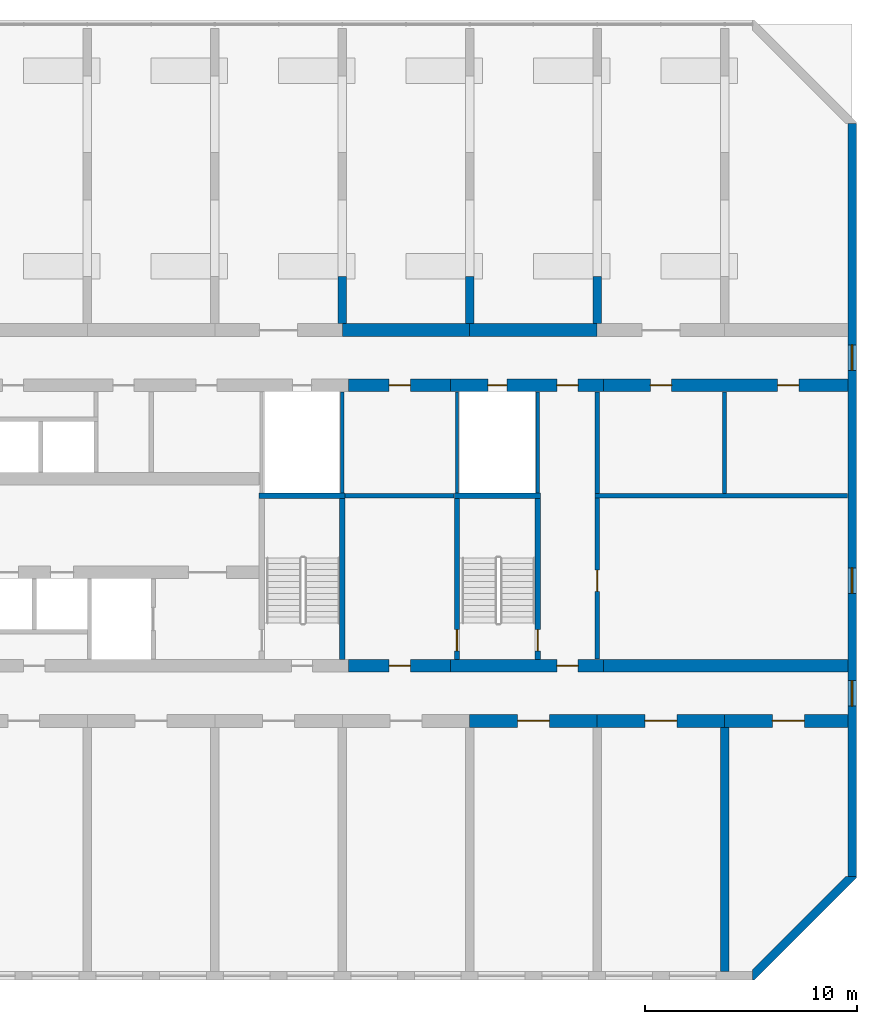
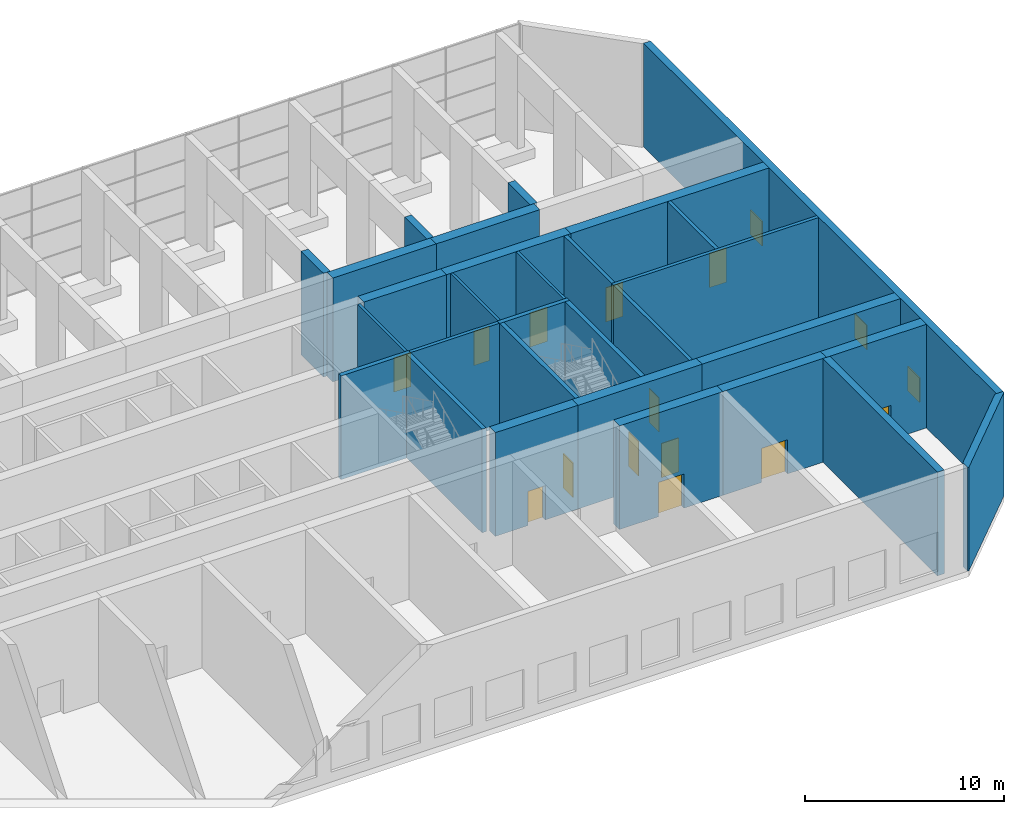
# One storey, part 12 of 15: 30 walls, 13 doors, 3 windows, 16 openings.
"""IFC4 building model written with IfcOpenShell, lengths in metres."""

from ifc_helpers import new_model, si_unit, direction, frame, frame_2d, origin, place, context, subcontext, project, spatial, polyline, rectangle, outline, extrude, material, layer, layer_set, type_object, element, fill, save


model = new_model("IFC4")

# Units and contexts
model_context = context("Model", 3, precision=1e-05, world=origin(), true_north=direction((0.0, 1.0)))
body_context = subcontext(model_context, "Body", "Model", "MODEL_VIEW")
ifc_project = project(units=[si_unit("LENGTHUNIT", "METRE"), si_unit("AREAUNIT", "SQUARE_METRE"), si_unit("VOLUMEUNIT", "CUBIC_METRE"), si_unit("PLANEANGLEUNIT", "RADIAN"), si_unit("MASSUNIT", "GRAM", prefix="KILO")], contexts=[model_context])

# Site, building, storey
site_placement = place(None, origin())
site = spatial("IfcSite", under=ifc_project, at=site_placement, CompositionType="ELEMENT")
building_placement = place(site_placement, origin())
building = spatial("IfcBuilding", under=site, at=building_placement, Name="Poui Terraces", CompositionType="ELEMENT")
storey_placement = place(building_placement, frame((0.0, 0.0, 66.300048828125)))
storey = spatial("IfcBuildingStorey", under=building, at=storey_placement, Name="L18", CompositionType="ELEMENT", Elevation=66.300048828125)

# Wall, opening, door
ifc_material_1 = material(Name="Concrete 80 MPa", Category="concrete")
ifc_layer_1 = layer(ifc_material_1, 0.60009765625)
ifc_layer_set_1 = layer_set([ifc_layer_1], Name="Concrete 80 MPa")
wall_type_1 = type_object("IfcWallType", Name="BELT WALL 600 80MPa", PredefinedType="SHEAR", material=ifc_layer_set_1)
wall_1_placement = place(storey_placement, frame((78.0, 12.0, 0.0), z_axis=(0.0, 0.0, 1.0), x_axis=(1.0, 0.0, 0.0)))
wall_1 = element("IfcWall", 1, at=wall_1_placement, inside=storey, type_object=wall_type_1, Name="BELT WALL LINE B BAY 13", PredefinedType="SHEAR", context=body_context, shape_type="SweptSolid", body=[
    extrude(rectangle(XDim=6.0, YDim=0.60009765625, at=frame_2d((3.0, 0.0))), origin(), (0.0, 0.0, 1.0), 6.35986328125),
])
opening_1_placement = place(wall_1_placement, frame((2.25, 0.0, 0.0)))
opening_1 = element("IfcOpeningElement", 2, at=opening_1_placement, cuts=wall_1, Name="Opening FDP", PredefinedType="OPENING", context=body_context, shape_type="SweptSolid", body=[
    extrude(rectangle(XDim=1.5, YDim=2.10009765625, at=frame_2d((0.75, 1.050048828125))), frame((0.0, 0.31005859375, 0.0), z_axis=(0.0, -1.0, 0.0), x_axis=(1.0, 0.0, 0.0)), (0.0, 0.0, 1.0), 0.6201171875),
])
ifc_material_2 = material(Name="Steel fire door", Category="steel")
door_type_1 = type_object("IfcDoorType", Name="PLANT ROOM DOOR PAIR 1500 X 2100", OperationType="DOUBLE_DOOR_SINGLE_SWING", PredefinedType="DOOR", material=ifc_material_2)
door_1_placement = place(opening_1_placement, origin())
door_1 = element("IfcDoor", 3, at=door_1_placement, inside=storey, type_object=door_type_1, Name="PLANT ROOM DOOR PAIR 047", OperationType="DOUBLE_DOOR_SINGLE_SWING", OverallHeight=2.10009765625, OverallWidth=1.5, PredefinedType="DOOR", context=body_context, shape_type="SweptSolid", body=[
    extrude(rectangle(XDim=1.5, YDim=2.10009765625, at=frame_2d((0.75, 1.050048828125))), frame((0.0, 0.02490234375, 0.0), z_axis=(0.0, -1.0, 0.0), x_axis=(1.0, 0.0, 0.0)), (0.0, 0.0, 1.0), 0.050048828125),
])
fill(opening_1, door_1)

wall_2_placement = place(storey_placement, frame((84.0, 12.0, 0.0), z_axis=(0.0, 0.0, 1.0), x_axis=(1.0, 0.0, 0.0)))
wall_2 = element("IfcWall", 4, at=wall_2_placement, inside=storey, type_object=wall_type_1, Name="BELT WALL LINE B BAY 14", PredefinedType="SHEAR", context=body_context, shape_type="SweptSolid", body=[
    extrude(rectangle(XDim=6.0, YDim=0.60009765625, at=frame_2d((3.0, 0.0))), origin(), (0.0, 0.0, 1.0), 6.35986328125),
])
opening_2_placement = place(wall_2_placement, frame((2.25, 0.0, 0.0)))
opening_2 = element("IfcOpeningElement", 5, at=opening_2_placement, cuts=wall_2, Name="Opening FDP", PredefinedType="OPENING", context=body_context, shape_type="SweptSolid", body=[
    extrude(rectangle(XDim=1.5, YDim=2.10009765625, at=frame_2d((0.75, 1.050048828125))), frame((0.0, 0.31005859375, 0.0), z_axis=(0.0, -1.0, 0.0), x_axis=(1.0, 0.0, 0.0)), (0.0, 0.0, 1.0), 0.6201171875),
])
door_2_placement = place(opening_2_placement, origin())
door_2 = element("IfcDoor", 6, at=door_2_placement, inside=storey, type_object=door_type_1, Name="PLANT ROOM DOOR PAIR 049", OperationType="DOUBLE_DOOR_SINGLE_SWING", OverallHeight=2.10009765625, OverallWidth=1.5, PredefinedType="DOOR", context=body_context, shape_type="SweptSolid", body=[
    extrude(rectangle(XDim=1.5, YDim=2.10009765625, at=frame_2d((0.75, 1.050048828125))), frame((0.0, 0.02490234375, 0.0), z_axis=(0.0, -1.0, 0.0), x_axis=(1.0, 0.0, 0.0)), (0.0, 0.0, 1.0), 0.050048828125),
])
fill(opening_2, door_2)

wall_3_placement = place(storey_placement, frame((90.0, 12.0, 0.0), z_axis=(0.0, 0.0, 1.0), x_axis=(1.0, 0.0, 0.0)))
wall_3 = element("IfcWall", 7, at=wall_3_placement, inside=storey, type_object=wall_type_1, Name="BELT WALL LINE B BAY 15", PredefinedType="SHEAR", context=body_context, shape_type="SweptSolid", body=[
    extrude(rectangle(XDim=5.800048828125, YDim=0.60009765625, at=frame_2d((2.89990234375, 0.0))), origin(), (0.0, 0.0, 1.0), 6.35986328125),
])
opening_3_placement = place(wall_3_placement, frame((2.25, 0.0, 0.0)))
opening_3 = element("IfcOpeningElement", 8, at=opening_3_placement, cuts=wall_3, Name="Opening FDP", PredefinedType="OPENING", context=body_context, shape_type="SweptSolid", body=[
    extrude(rectangle(XDim=1.5, YDim=2.10009765625, at=frame_2d((0.75, 1.050048828125))), frame((0.0, 0.31005859375, 0.0), z_axis=(0.0, -1.0, 0.0), x_axis=(1.0, 0.0, 0.0)), (0.0, 0.0, 1.0), 0.6201171875),
])
door_3_placement = place(opening_3_placement, origin())
door_3 = element("IfcDoor", 9, at=door_3_placement, inside=storey, type_object=door_type_1, Name="PLANT ROOM DOOR PAIR 050", OperationType="DOUBLE_DOOR_SINGLE_SWING", OverallHeight=2.10009765625, OverallWidth=1.5, PredefinedType="DOOR", context=body_context, shape_type="SweptSolid", body=[
    extrude(rectangle(XDim=1.5, YDim=2.10009765625, at=frame_2d((0.75, 1.050048828125))), frame((0.0, 0.02490234375, 0.0), z_axis=(0.0, -1.0, 0.0), x_axis=(1.0, 0.0, 0.0)), (0.0, 0.0, 1.0), 0.050048828125),
])
fill(opening_3, door_3)

# Walls
for number, where, z_axis, x_axis, name in (
    (10, (72.0, 30.39990234375, 0.0), (0.0, 0.0, 1.0), (1.0, 0.0, 0.0), "BELT WALL LINE E BAY 12"),
    (11, (78.0, 30.39990234375, 0.0), (0.0, 0.0, 1.0), (1.0, 0.0, 0.0), "BELT WALL LINE E BAY 13"),
):
    element("IfcWall", number, at=place(storey_placement, frame(where, z_axis=z_axis, x_axis=x_axis)), inside=storey, type_object=wall_type_1, Name=name, PredefinedType="SHEAR", context=body_context, shape_type="SweptSolid", body=[
        extrude(rectangle(XDim=6.0, YDim=0.60009765625, at=frame_2d((3.0, 0.0))), origin(), (0.0, 0.0, 1.0), 6.35986328125),
    ])
ifc_layer_2 = layer(ifc_material_1, 0.39990234375)
ifc_layer_set_2 = layer_set([ifc_layer_2], Name="Concrete 80 MPa")
wall_type_2 = type_object("IfcWallType", Name="CROSS WALL 400 80MPa", PredefinedType="SHEAR", material=ifc_layer_set_2)
wall_4_placement = place(storey_placement, frame((90.0, 0.199951171875, 0.0), z_axis=(0.0, 0.0, 1.0), x_axis=(0.0, 1.0, 0.0)))
element("IfcWall", 12, at=wall_4_placement, inside=storey, type_object=wall_type_2, Name="CROSS WALL LINE 16 SOUTH", PredefinedType="SHEAR", context=body_context, shape_type="SweptSolid", body=[
    extrude(rectangle(XDim=11.5, YDim=0.39990234375, at=frame_2d((5.75, 0.0))), origin(), (0.0, 0.0, 1.0), 6.35986328125),
])

# Wall, openings, windows
ifc_layer_3 = layer(ifc_material_1, 0.39990234375)
ifc_layer_set_3 = layer_set([ifc_layer_3], Name="Concrete 80 MPa")
wall_type_3 = type_object("IfcWallType", Name="END WALL 400 80MPa", PredefinedType="SHEAR", material=ifc_layer_set_3)
wall_5_placement = place(storey_placement, frame((96.0, 4.682861328125, 0.0), z_axis=(0.0, 0.0, 1.0), x_axis=(0.0, 1.0, 0.0)))
wall_5 = element("IfcWall", 13, at=wall_5_placement, inside=storey, type_object=wall_type_3, Name="END WALL EAST", PredefinedType="SHEAR", context=body_context, shape_type="SweptSolid", body=[
    extrude(rectangle(XDim=35.434326171875, YDim=0.39990234375, at=frame_2d((17.71728515625, 0.0))), origin(), (0.0, 0.0, 1.0), 6.35986328125),
])
opening_4_placement = place(wall_5_placement, frame((23.817138671875, 0.0, 0.89990234375)))
opening_4 = element("IfcOpeningElement", 14, at=opening_4_placement, cuts=wall_5, Name="Opening W2", PredefinedType="OPENING", context=body_context, shape_type="SweptSolid", body=[
    extrude(rectangle(XDim=1.199951171875, YDim=1.5, at=frame_2d((0.60009765625, 0.75))), frame((0.0, 0.2099609375, 0.0), z_axis=(0.0, -1.0, 0.0), x_axis=(1.0, 0.0, 0.0)), (0.0, 0.0, 1.0), 0.419921875),
])
opening_5_placement = place(wall_5_placement, frame((8.01708984375, 0.0, 0.89990234375)))
opening_5 = element("IfcOpeningElement", 15, at=opening_5_placement, cuts=wall_5, Name="Opening W2", PredefinedType="OPENING", context=body_context, shape_type="SweptSolid", body=[
    extrude(rectangle(XDim=1.199951171875, YDim=1.5, at=frame_2d((0.60009765625, 0.75))), frame((0.0, 0.2099609375, 0.0), z_axis=(0.0, -1.0, 0.0), x_axis=(1.0, 0.0, 0.0)), (0.0, 0.0, 1.0), 0.419921875),
])
opening_6_placement = place(wall_5_placement, frame((13.317138671875, 0.0, 0.89990234375)))
opening_6 = element("IfcOpeningElement", 16, at=opening_6_placement, cuts=wall_5, Name="Opening W2", PredefinedType="OPENING", context=body_context, shape_type="SweptSolid", body=[
    extrude(rectangle(XDim=1.199951171875, YDim=1.5, at=frame_2d((0.60009765625, 0.75))), frame((0.0, 0.2099609375, 0.0), z_axis=(0.0, -1.0, 0.0), x_axis=(1.0, 0.0, 0.0)), (0.0, 0.0, 1.0), 0.419921875),
])
ifc_material_3 = material(Name="Clear glass in aluminium frame", Category="aluminium")
window_type = type_object("IfcWindowType", Name="WINDOW 1200X1500", PartitioningType="SINGLE_PANEL", PredefinedType="WINDOW", material=ifc_material_3)
window_1_placement = place(opening_4_placement, origin())
window_1 = element("IfcWindow", 17, at=window_1_placement, inside=storey, type_object=window_type, Name="W2 WINDOW", OverallHeight=1.5, OverallWidth=1.199951171875, PartitioningType="SINGLE_PANEL", PredefinedType="WINDOW", context=body_context, shape_type="SweptSolid", body=[
    extrude(rectangle(XDim=1.199951171875, YDim=1.5, at=frame_2d((0.60009765625, 0.75))), frame((0.0, 0.030029296875, 0.0), z_axis=(0.0, -1.0, 0.0), x_axis=(1.0, 0.0, 0.0)), (0.0, 0.0, 1.0), 0.06005859375),
])
fill(opening_4, window_1)
window_2_placement = place(opening_5_placement, origin())
window_2 = element("IfcWindow", 18, at=window_2_placement, inside=storey, type_object=window_type, Name="W2 WINDOW", OverallHeight=1.5, OverallWidth=1.199951171875, PartitioningType="SINGLE_PANEL", PredefinedType="WINDOW", context=body_context, shape_type="SweptSolid", body=[
    extrude(rectangle(XDim=1.199951171875, YDim=1.5, at=frame_2d((0.60009765625, 0.75))), frame((0.0, 0.030029296875, 0.0), z_axis=(0.0, -1.0, 0.0), x_axis=(1.0, 0.0, 0.0)), (0.0, 0.0, 1.0), 0.06005859375),
])
fill(opening_5, window_2)
window_3_placement = place(opening_6_placement, origin())
window_3 = element("IfcWindow", 19, at=window_3_placement, inside=storey, type_object=window_type, Name="W2 WINDOW", OverallHeight=1.5, OverallWidth=1.199951171875, PartitioningType="SINGLE_PANEL", PredefinedType="WINDOW", context=body_context, shape_type="SweptSolid", body=[
    extrude(rectangle(XDim=1.199951171875, YDim=1.5, at=frame_2d((0.60009765625, 0.75))), frame((0.0, 0.030029296875, 0.0), z_axis=(0.0, -1.0, 0.0), x_axis=(1.0, 0.0, 0.0)), (0.0, 0.0, 1.0), 0.06005859375),
])
fill(opening_6, window_3)

# Wall, opening, door
ifc_layer_4 = layer(ifc_material_1, 0.60009765625)
ifc_layer_set_4 = layer_set([ifc_layer_4], Name="Concrete 80 MPa")
wall_type_4 = type_object("IfcWallType", Name="OUTRIGGER WALL 600 80MPa", PredefinedType="SHEAR", material=ifc_layer_set_4)
wall_6_placement = place(storey_placement, frame((72.300048828125, 14.60009765625, 0.0), z_axis=(0.0, 0.0, 1.0), x_axis=(1.0, 0.0, 0.0)))
wall_6 = element("IfcWall", 20, at=wall_6_placement, inside=storey, type_object=wall_type_4, Name="OUTRIGGER WALL LINE C E2", PredefinedType="SHEAR", context=body_context, shape_type="SweptSolid", body=[
    extrude(rectangle(XDim=4.800048828125, YDim=0.60009765625, at=frame_2d((2.39990234375, 0.0))), origin(), (0.0, 0.0, 1.0), 6.35986328125),
])
opening_7_placement = place(wall_6_placement, frame((1.89990234375, 0.0, 0.0)))
opening_7 = element("IfcOpeningElement", 21, at=opening_7_placement, cuts=wall_6, Name="Opening FDRF", PredefinedType="OPENING", context=body_context, shape_type="SweptSolid", body=[
    extrude(rectangle(XDim=1.0, YDim=2.10009765625, at=frame_2d((0.5, 1.050048828125))), frame((0.0, 0.31005859375, 0.0), z_axis=(0.0, -1.0, 0.0), x_axis=(1.0, 0.0, 0.0)), (0.0, 0.0, 1.0), 0.6201171875),
])
door_type_2 = type_object("IfcDoorType", Name="REFUGE AREA DOOR 1000 X 2100", OperationType="NOTDEFINED", PredefinedType="DOOR", material=ifc_material_2)
door_4_placement = place(opening_7_placement, frame((1.0, 0.0, 0.0), z_axis=(0.0, 0.0, 1.0), x_axis=(-1.0, 0.0, 0.0)))
door_4 = element("IfcDoor", 22, at=door_4_placement, inside=storey, type_object=door_type_2, Name="REFUGE AREA DOOR 045", OperationType="SINGLE_SWING_LEFT", OverallHeight=2.10009765625, OverallWidth=1.0, PredefinedType="DOOR", context=body_context, shape_type="SweptSolid", body=[
    extrude(rectangle(XDim=1.0, YDim=2.10009765625, at=frame_2d((0.5, 1.050048828125))), frame((0.0, 0.02490234375, 0.0), z_axis=(0.0, -1.0, 0.0), x_axis=(1.0, 0.0, 0.0)), (0.0, 0.0, 1.0), 0.050048828125),
])
fill(opening_7, door_4)

# Wall
wall_7_placement = place(storey_placement, frame((84.300048828125, 14.60009765625, 0.0), z_axis=(0.0, 0.0, 1.0), x_axis=(1.0, 0.0, 0.0)))
element("IfcWall", 23, at=wall_7_placement, inside=storey, type_object=wall_type_4, Name="OUTRIGGER WALL LINE C E1", PredefinedType="SHEAR", context=body_context, shape_type="SweptSolid", body=[
    extrude(rectangle(XDim=11.5, YDim=0.60009765625, at=frame_2d((5.75, 0.0))), origin(), (0.0, 0.0, 1.0), 6.35986328125),
])

# Wall, opening, door
wall_8_placement = place(storey_placement, frame((72.300048828125, 27.800048828125, 0.0), z_axis=(0.0, 0.0, 1.0), x_axis=(1.0, 0.0, 0.0)))
wall_8 = element("IfcWall", 24, at=wall_8_placement, inside=storey, type_object=wall_type_4, Name="OUTRIGGER WALL LINE D E2", PredefinedType="SHEAR", context=body_context, shape_type="SweptSolid", body=[
    extrude(rectangle(XDim=4.800048828125, YDim=0.60009765625, at=frame_2d((2.39990234375, 0.0))), origin(), (0.0, 0.0, 1.0), 6.35986328125),
])
opening_8_placement = place(wall_8_placement, frame((1.89990234375, 0.0, 0.0)))
opening_8 = element("IfcOpeningElement", 25, at=opening_8_placement, cuts=wall_8, Name="Opening FD60", PredefinedType="OPENING", context=body_context, shape_type="SweptSolid", body=[
    extrude(rectangle(XDim=1.0, YDim=2.10009765625, at=frame_2d((0.5, 1.050048828125))), frame((0.0, 0.31005859375, 0.0), z_axis=(0.0, -1.0, 0.0), x_axis=(1.0, 0.0, 0.0)), (0.0, 0.0, 1.0), 0.6201171875),
])
door_type_3 = type_object("IfcDoorType", Name="SERVICE ROOM FIRE DOOR 1000 X 2100", OperationType="NOTDEFINED", PredefinedType="DOOR", material=ifc_material_2)
door_5_placement = place(opening_8_placement, origin())
door_5 = element("IfcDoor", 26, at=door_5_placement, inside=storey, type_object=door_type_3, Name="SERVICE ROOM FIRE DOOR 019", OperationType="SINGLE_SWING_RIGHT", OverallHeight=2.10009765625, OverallWidth=1.0, PredefinedType="DOOR", context=body_context, shape_type="SweptSolid", body=[
    extrude(rectangle(XDim=1.0, YDim=2.10009765625, at=frame_2d((0.5, 1.050048828125))), frame((0.0, 0.02490234375, 0.0), z_axis=(0.0, -1.0, 0.0), x_axis=(1.0, 0.0, 0.0)), (0.0, 0.0, 1.0), 0.050048828125),
])
fill(opening_8, door_5)

# Wall, openings, doors
wall_9_placement = place(storey_placement, frame((84.300048828125, 27.800048828125, 0.0), z_axis=(0.0, 0.0, 1.0), x_axis=(1.0, 0.0, 0.0)))
wall_9 = element("IfcWall", 27, at=wall_9_placement, inside=storey, type_object=wall_type_4, Name="OUTRIGGER WALL LINE D E1", PredefinedType="SHEAR", context=body_context, shape_type="SweptSolid", body=[
    extrude(rectangle(XDim=11.5, YDim=0.60009765625, at=frame_2d((5.75, 0.0))), origin(), (0.0, 0.0, 1.0), 6.35986328125),
])
opening_9_placement = place(wall_9_placement, frame((2.199951171875, 0.0, 0.0)))
opening_9 = element("IfcOpeningElement", 28, at=opening_9_placement, cuts=wall_9, Name="Opening FD60", PredefinedType="OPENING", context=body_context, shape_type="SweptSolid", body=[
    extrude(rectangle(XDim=1.0, YDim=2.10009765625, at=frame_2d((0.5, 1.050048828125))), frame((0.0, 0.31005859375, 0.0), z_axis=(0.0, -1.0, 0.0), x_axis=(1.0, 0.0, 0.0)), (0.0, 0.0, 1.0), 0.6201171875),
])
opening_10_placement = place(wall_9_placement, frame((8.199951171875, 0.0, 0.0)))
opening_10 = element("IfcOpeningElement", 29, at=opening_10_placement, cuts=wall_9, Name="Opening FD60", PredefinedType="OPENING", context=body_context, shape_type="SweptSolid", body=[
    extrude(rectangle(XDim=1.0, YDim=2.10009765625, at=frame_2d((0.5, 1.050048828125))), frame((0.0, 0.31005859375, 0.0), z_axis=(0.0, -1.0, 0.0), x_axis=(1.0, 0.0, 0.0)), (0.0, 0.0, 1.0), 0.6201171875),
])
door_6_placement = place(opening_9_placement, origin())
door_6 = element("IfcDoor", 30, at=door_6_placement, inside=storey, type_object=door_type_3, Name="SERVICE ROOM FIRE DOOR 022", OperationType="SINGLE_SWING_LEFT", OverallHeight=2.10009765625, OverallWidth=1.0, PredefinedType="DOOR", context=body_context, shape_type="SweptSolid", body=[
    extrude(rectangle(XDim=1.0, YDim=2.10009765625, at=frame_2d((0.5, 1.050048828125))), frame((0.0, 0.02490234375, 0.0), z_axis=(0.0, -1.0, 0.0), x_axis=(1.0, 0.0, 0.0)), (0.0, 0.0, 1.0), 0.050048828125),
])
fill(opening_9, door_6)
door_7_placement = place(opening_10_placement, origin())
door_7 = element("IfcDoor", 31, at=door_7_placement, inside=storey, type_object=door_type_3, Name="SERVICE ROOM FIRE DOOR 024", OperationType="SINGLE_SWING_RIGHT", OverallHeight=2.10009765625, OverallWidth=1.0, PredefinedType="DOOR", context=body_context, shape_type="SweptSolid", body=[
    extrude(rectangle(XDim=1.0, YDim=2.10009765625, at=frame_2d((0.5, 1.050048828125))), frame((0.0, 0.02490234375, 0.0), z_axis=(0.0, -1.0, 0.0), x_axis=(1.0, 0.0, 0.0)), (0.0, 0.0, 1.0), 0.050048828125),
])
fill(opening_10, door_7)

# Walls
ifc_layer_5 = layer(ifc_material_1, 0.39990234375)
ifc_layer_set_5 = layer_set([ifc_layer_5], Name="Concrete 80 MPa")
wall_type_5 = type_object("IfcWallType", Name="PIERCED CROSS WALL 400 80MPa", PredefinedType="SHEAR", material=ifc_layer_set_5)
for number, where, z_axis, x_axis, name in (
    (32, (72.0, 30.699951171875, 0.0), (0.0, 0.0, 1.0), (0.0, 1.0, 0.0), "PIER LINE 13 1"),
    (33, (78.0, 30.699951171875, 0.0), (0.0, 0.0, 1.0), (0.0, 1.0, 0.0), "PIER LINE 14 1"),
    (34, (84.0, 30.699951171875, 0.0), (0.0, 0.0, 1.0), (0.0, 1.0, 0.0), "PIER LINE 15 1"),
):
    element("IfcWall", number, at=place(storey_placement, frame(where, z_axis=z_axis, x_axis=x_axis)), inside=storey, type_object=wall_type_5, Name=name, PredefinedType="SHEAR", context=body_context, shape_type="SweptSolid", body=[
        extrude(rectangle(XDim=2.2333984375, YDim=0.39990234375, at=frame_2d((1.11669921875, 0.0))), origin(), (0.0, 0.0, 1.0), 6.35986328125),
    ])
ifc_material_4 = material(Name="Fire-rated masonry wall", Category="masonry")
ifc_layer_6 = layer(ifc_material_4, 0.199951171875)
ifc_layer_set_6 = layer_set([ifc_layer_6], Name="Fire-rated masonry wall")
wall_type_6 = type_object("IfcWallType", Name="PLANT ROOM WALL 200", PredefinedType="PARTITIONING", material=ifc_layer_set_6)
for number, where, z_axis, x_axis, name in (
    (35, (84.0, 22.699951171875, 0.0), (0.0, 0.0, 1.0), (0.0, 1.0, 0.0), "PLANT ROOM WALL 200"),
    (36, (90.0, 22.699951171875, 0.0), (0.0, 0.0, 1.0), (0.0, 1.0, 0.0), "PLANT ROOM WALL 200"),
):
    element("IfcWall", number, at=place(storey_placement, frame(where, z_axis=z_axis, x_axis=x_axis)), inside=storey, type_object=wall_type_6, Name=name, PredefinedType="PARTITIONING", context=body_context, shape_type="SweptSolid", body=[
        extrude(rectangle(XDim=4.7900390625, YDim=0.199951171875, at=frame_2d((2.39501953125, 0.0))), origin(), (0.0, 0.0, 1.0), 6.35986328125),
    ])
ifc_layer_7 = layer(ifc_material_4, 0.199951171875)
ifc_layer_set_7 = layer_set([ifc_layer_7], Name="Fire-rated masonry wall")
wall_type_7 = type_object("IfcWallType", Name="REFUGE AREA WALL 200", PredefinedType="PARTITIONING", material=ifc_layer_set_7)
wall_10_placement = place(storey_placement, frame((72.135009765625, 22.60009765625, 0.0), z_axis=(0.0, 0.0, 1.0), x_axis=(1.0, 0.0, 0.0)))
element("IfcWall", 37, at=wall_10_placement, inside=storey, type_object=wall_type_7, Name="REFUGE AREA WALL 200", PredefinedType="PARTITIONING", context=body_context, shape_type="SweptSolid", body=[
    extrude(rectangle(XDim=5.1298828125, YDim=0.199951171875, at=frame_2d((2.56494140625, 0.0))), origin(), (0.0, 0.0, 1.0), 6.35986328125),
])
wall_11_placement = place(storey_placement, frame((83.89990234375, 22.60009765625, 0.0), z_axis=(0.0, 0.0, 1.0), x_axis=(1.0, 0.0, 0.0)))
element("IfcWall", 38, at=wall_11_placement, inside=storey, type_object=wall_type_7, Name="REFUGE AREA WALL 200", PredefinedType="PARTITIONING", context=body_context, shape_type="SweptSolid", body=[
    extrude(rectangle(XDim=11.89013671875, YDim=0.199951171875, at=frame_2d((5.945068359375, 0.0))), origin(), (0.0, 0.0, 1.0), 6.35986328125),
])

# Wall, opening, door
wall_12_placement = place(storey_placement, frame((84.0, 14.909912109375, 0.0), z_axis=(0.0, 0.0, 1.0), x_axis=(0.0, 1.0, 0.0)))
wall_12 = element("IfcWall", 39, at=wall_12_placement, inside=storey, type_object=wall_type_7, Name="REFUGE AREA WALL 200", PredefinedType="PARTITIONING", context=body_context, shape_type="SweptSolid", body=[
    extrude(rectangle(XDim=7.590087890625, YDim=0.199951171875, at=frame_2d((3.794921875, 0.0))), origin(), (0.0, 0.0, 1.0), 6.35986328125),
])
opening_11_placement = place(wall_12_placement, frame((3.18994140625, 0.0, 0.0)))
opening_11 = element("IfcOpeningElement", 40, at=opening_11_placement, cuts=wall_12, Name="Opening FDRF", PredefinedType="OPENING", context=body_context, shape_type="SweptSolid", body=[
    extrude(rectangle(XDim=1.0, YDim=2.10009765625, at=frame_2d((0.5, 1.050048828125))), frame((0.0, 0.10986328125, 0.0), z_axis=(0.0, -1.0, 0.0), x_axis=(1.0, 0.0, 0.0)), (0.0, 0.0, 1.0), 0.219970703125),
])
door_8_placement = place(opening_11_placement, origin())
door_8 = element("IfcDoor", 41, at=door_8_placement, inside=storey, type_object=door_type_2, Name="REFUGE AREA DOOR 069", OperationType="SINGLE_SWING_RIGHT", OverallHeight=2.10009765625, OverallWidth=1.0, PredefinedType="DOOR", context=body_context, shape_type="SweptSolid", body=[
    extrude(rectangle(XDim=1.0, YDim=2.10009765625, at=frame_2d((0.5, 1.050048828125))), frame((0.0, 0.02490234375, 0.0), z_axis=(0.0, -1.0, 0.0), x_axis=(1.0, 0.0, 0.0)), (0.0, 0.0, 1.0), 0.050048828125),
])
fill(opening_11, door_8)

# Walls
ifc_material_5 = material(Name="Fire-rated plasterboard riser wall")
ifc_layer_8 = layer(ifc_material_5, 0.14990234375)
ifc_layer_set_8 = layer_set([ifc_layer_8], Name="Fire-rated plasterboard riser wall")
wall_type_8 = type_object("IfcWallType", Name="RISER WALL 150", PredefinedType="PARTITIONING", material=ifc_layer_set_8)
for number, where, z_axis, x_axis, name in (
    (42, (72.0, 22.735107421875, 0.0), (0.0, 0.0, 1.0), (0.0, 1.0, 0.0), "RISER WALL 150"),
    (43, (77.39990234375, 22.735107421875, 0.0), (0.0, 0.0, 1.0), (0.0, 1.0, 0.0), "RISER WALL 150"),
    (44, (81.199951171875, 22.735107421875, 0.0), (0.0, 0.0, 1.0), (0.0, 1.0, 0.0), "RISER WALL 150"),
):
    element("IfcWall", number, at=place(storey_placement, frame(where, z_axis=z_axis, x_axis=x_axis)), inside=storey, type_object=wall_type_8, Name=name, PredefinedType="PARTITIONING", context=body_context, shape_type="SweptSolid", body=[
        extrude(rectangle(XDim=4.7548828125, YDim=0.14990234375, at=frame_2d((2.37744140625, 0.0))), origin(), (0.0, 0.0, 1.0), 6.35986328125),
    ])

# Wall, opening, door
ifc_layer_9 = layer(ifc_material_1, 0.60009765625)
ifc_layer_set_9 = layer_set([ifc_layer_9], Name="Concrete 80 MPa")
wall_type_9 = type_object("IfcWallType", Name="SPINE WALL 600 80 MPA", PredefinedType="SOLIDWALL", material=ifc_layer_set_9)
wall_13_placement = place(storey_placement, frame((77.10009765625, 14.60009765625, 0.0), z_axis=(0.0, 0.0, 1.0), x_axis=(1.0, 0.0, 0.0)))
wall_13 = element("IfcWall", 45, at=wall_13_placement, inside=storey, type_object=wall_type_9, Name="SPINE WALL", PredefinedType="SOLIDWALL", context=body_context, shape_type="SweptSolid", body=[
    extrude(rectangle(XDim=7.199951171875, YDim=0.60009765625, at=frame_2d((3.60009765625, 0.0))), origin(), (0.0, 0.0, 1.0), 6.35986328125),
])
opening_12_placement = place(wall_13_placement, frame((5.0, 0.0, 0.0)))
opening_12 = element("IfcOpeningElement", 46, at=opening_12_placement, cuts=wall_13, Name="Opening FDL", PredefinedType="OPENING", context=body_context, shape_type="SweptSolid", body=[
    extrude(rectangle(XDim=1.0, YDim=2.10009765625, at=frame_2d((0.5, 1.050048828125))), frame((0.0, 0.31005859375, 0.0), z_axis=(0.0, -1.0, 0.0), x_axis=(1.0, 0.0, 0.0)), (0.0, 0.0, 1.0), 0.6201171875),
])
door_type_4 = type_object("IfcDoorType", Name="LOBBY FIRE DOOR 1000 X 2100", OperationType="NOTDEFINED", PredefinedType="DOOR", material=ifc_material_2)
door_9_placement = place(opening_12_placement, frame((1.0, 0.0, 0.0), z_axis=(0.0, 0.0, 1.0), x_axis=(-1.0, 0.0, 0.0)))
door_9 = element("IfcDoor", 47, at=door_9_placement, inside=storey, type_object=door_type_4, Name="LOBBY FIRE DOOR 048", OperationType="SINGLE_SWING_LEFT", OverallHeight=2.10009765625, OverallWidth=1.0, PredefinedType="DOOR", context=body_context, shape_type="SweptSolid", body=[
    extrude(rectangle(XDim=1.0, YDim=2.10009765625, at=frame_2d((0.5, 1.050048828125))), frame((0.0, 0.02490234375, 0.0), z_axis=(0.0, -1.0, 0.0), x_axis=(1.0, 0.0, 0.0)), (0.0, 0.0, 1.0), 0.050048828125),
])
fill(opening_12, door_9)

# Wall, openings, doors
wall_14_placement = place(storey_placement, frame((77.10009765625, 27.800048828125, 0.0), z_axis=(0.0, 0.0, 1.0), x_axis=(1.0, 0.0, 0.0)))
wall_14 = element("IfcWall", 48, at=wall_14_placement, inside=storey, type_object=wall_type_9, Name="SPINE WALL", PredefinedType="SOLIDWALL", context=body_context, shape_type="SweptSolid", body=[
    extrude(rectangle(XDim=7.199951171875, YDim=0.60009765625, at=frame_2d((3.60009765625, 0.0))), origin(), (0.0, 0.0, 1.0), 6.35986328125),
])
opening_13_placement = place(wall_14_placement, frame((1.75, 0.0, 0.0)))
opening_13 = element("IfcOpeningElement", 49, at=opening_13_placement, cuts=wall_14, Name="Opening FDR", PredefinedType="OPENING", context=body_context, shape_type="SweptSolid", body=[
    extrude(rectangle(XDim=0.89990234375, YDim=2.10009765625, at=frame_2d((0.449951171875, 1.050048828125))), frame((0.0, 0.31005859375, 0.0), z_axis=(0.0, -1.0, 0.0), x_axis=(1.0, 0.0, 0.0)), (0.0, 0.0, 1.0), 0.6201171875),
])
opening_14_placement = place(wall_14_placement, frame((5.0, 0.0, 0.0)))
opening_14 = element("IfcOpeningElement", 50, at=opening_14_placement, cuts=wall_14, Name="Opening FDL", PredefinedType="OPENING", context=body_context, shape_type="SweptSolid", body=[
    extrude(rectangle(XDim=1.0, YDim=2.10009765625, at=frame_2d((0.5, 1.050048828125))), frame((0.0, 0.31005859375, 0.0), z_axis=(0.0, -1.0, 0.0), x_axis=(1.0, 0.0, 0.0)), (0.0, 0.0, 1.0), 0.6201171875),
])
door_10_placement = place(opening_14_placement, origin())
door_10 = element("IfcDoor", 51, at=door_10_placement, inside=storey, type_object=door_type_4, Name="LOBBY FIRE DOOR 021", OperationType="SINGLE_SWING_RIGHT", OverallHeight=2.10009765625, OverallWidth=1.0, PredefinedType="DOOR", context=body_context, shape_type="SweptSolid", body=[
    extrude(rectangle(XDim=1.0, YDim=2.10009765625, at=frame_2d((0.5, 1.050048828125))), frame((0.0, 0.02490234375, 0.0), z_axis=(0.0, -1.0, 0.0), x_axis=(1.0, 0.0, 0.0)), (0.0, 0.0, 1.0), 0.050048828125),
])
fill(opening_14, door_10)
door_type_5 = type_object("IfcDoorType", Name="RISER CUPBOARD DOOR 900 X 2100", OperationType="NOTDEFINED", PredefinedType="DOOR", material=ifc_material_2)
door_11_placement = place(opening_13_placement, origin())
door_11 = element("IfcDoor", 52, at=door_11_placement, inside=storey, type_object=door_type_5, Name="RISER CUPBOARD DOOR 020", OperationType="SINGLE_SWING_RIGHT", OverallHeight=2.10009765625, OverallWidth=0.89990234375, PredefinedType="DOOR", context=body_context, shape_type="SweptSolid", body=[
    extrude(rectangle(XDim=0.89990234375, YDim=2.10009765625, at=frame_2d((0.449951171875, 1.050048828125))), frame((0.0, 0.02490234375, 0.0), z_axis=(0.0, -1.0, 0.0), x_axis=(1.0, 0.0, 0.0)), (0.0, 0.0, 1.0), 0.050048828125),
])
fill(opening_13, door_11)

# Walls
ifc_layer_10 = layer(ifc_material_1, 0.25)
ifc_layer_set_10 = layer_set([ifc_layer_10], Name="Concrete 80 MPa")
wall_type_10 = type_object("IfcWallType", Name="STAIR CORE WALL 250 80 MPA", PredefinedType="SOLIDWALL", material=ifc_layer_set_10)
wall_15_placement = place(storey_placement, frame((72.0, 14.89990234375, 0.0), z_axis=(0.0, 0.0, 1.0), x_axis=(0.0, 1.0, 0.0)))
element("IfcWall", 53, at=wall_15_placement, inside=storey, type_object=wall_type_10, Name="STAIR CORE WALL", PredefinedType="SOLIDWALL", context=body_context, shape_type="SweptSolid", body=[
    extrude(rectangle(XDim=7.5751953125, YDim=0.25, at=frame_2d((3.78759765625, 0.0))), origin(), (0.0, 0.0, 1.0), 6.35986328125),
])
wall_16_placement = place(storey_placement, frame((68.074951171875, 22.60009765625, 0.0), z_axis=(0.0, 0.0, 1.0), x_axis=(1.0, 0.0, 0.0)))
element("IfcWall", 54, at=wall_16_placement, inside=storey, type_object=wall_type_10, Name="STAIR CORE WALL", PredefinedType="SOLIDWALL", context=body_context, shape_type="SweptSolid", body=[
    extrude(rectangle(XDim=4.050048828125, YDim=0.25, at=frame_2d((2.02490234375, 0.0))), origin(), (0.0, 0.0, 1.0), 6.35986328125),
])

# Wall, opening, door
wall_17_placement = place(storey_placement, frame((77.39990234375, 14.89990234375, 0.0), z_axis=(0.0, 0.0, 1.0), x_axis=(0.0, 1.0, 0.0)))
wall_17 = element("IfcWall", 55, at=wall_17_placement, inside=storey, type_object=wall_type_10, Name="STAIR CORE WALL", PredefinedType="SOLIDWALL", context=body_context, shape_type="SweptSolid", body=[
    extrude(rectangle(XDim=7.5751953125, YDim=0.25, at=frame_2d((3.78759765625, 0.0))), origin(), (0.0, 0.0, 1.0), 6.35986328125),
])
opening_15_placement = place(wall_17_placement, frame((0.39990234375, 0.0, 0.0)))
opening_15 = element("IfcOpeningElement", 56, at=opening_15_placement, cuts=wall_17, Name="Opening FDRF", PredefinedType="OPENING", context=body_context, shape_type="SweptSolid", body=[
    extrude(rectangle(XDim=1.0, YDim=2.10009765625, at=frame_2d((0.5, 1.050048828125))), frame((0.0, 0.135009765625, 0.0), z_axis=(0.0, -1.0, 0.0), x_axis=(1.0, 0.0, 0.0)), (0.0, 0.0, 1.0), 0.27001953125),
])
door_12_placement = place(opening_15_placement, frame((1.0, 0.0, 0.0), z_axis=(0.0, 0.0, 1.0), x_axis=(-1.0, 0.0, 0.0)))
door_12 = element("IfcDoor", 57, at=door_12_placement, inside=storey, type_object=door_type_2, Name="REFUGE AREA DOOR 066", OperationType="SINGLE_SWING_RIGHT", OverallHeight=2.10009765625, OverallWidth=1.0, PredefinedType="DOOR", context=body_context, shape_type="SweptSolid", body=[
    extrude(rectangle(XDim=1.0, YDim=2.10009765625, at=frame_2d((0.5, 1.050048828125))), frame((0.0, 0.02490234375, 0.0), z_axis=(0.0, -1.0, 0.0), x_axis=(1.0, 0.0, 0.0)), (0.0, 0.0, 1.0), 0.050048828125),
])
fill(opening_15, door_12)

wall_18_placement = place(storey_placement, frame((81.199951171875, 14.89990234375, 0.0), z_axis=(0.0, 0.0, 1.0), x_axis=(0.0, 1.0, 0.0)))
wall_18 = element("IfcWall", 58, at=wall_18_placement, inside=storey, type_object=wall_type_10, Name="STAIR CORE WALL", PredefinedType="SOLIDWALL", context=body_context, shape_type="SweptSolid", body=[
    extrude(rectangle(XDim=7.5751953125, YDim=0.25, at=frame_2d((3.78759765625, 0.0))), origin(), (0.0, 0.0, 1.0), 6.35986328125),
])
opening_16_placement = place(wall_18_placement, frame((0.39990234375, 0.0, 0.0)))
opening_16 = element("IfcOpeningElement", 59, at=opening_16_placement, cuts=wall_18, Name="Opening FD60S", PredefinedType="OPENING", context=body_context, shape_type="SweptSolid", body=[
    extrude(rectangle(XDim=1.0, YDim=2.10009765625, at=frame_2d((0.5, 1.050048828125))), frame((0.0, 0.135009765625, 0.0), z_axis=(0.0, -1.0, 0.0), x_axis=(1.0, 0.0, 0.0)), (0.0, 0.0, 1.0), 0.27001953125),
])
door_type_6 = type_object("IfcDoorType", Name="STAIR DOOR 1000 X 2100", OperationType="NOTDEFINED", PredefinedType="DOOR", material=ifc_material_2)
door_13_placement = place(opening_16_placement, origin())
door_13 = element("IfcDoor", 60, at=door_13_placement, inside=storey, type_object=door_type_6, Name="STAIR DOOR 068", OperationType="SINGLE_SWING_LEFT", OverallHeight=2.10009765625, OverallWidth=1.0, PredefinedType="DOOR", context=body_context, shape_type="SweptSolid", body=[
    extrude(rectangle(XDim=1.0, YDim=2.10009765625, at=frame_2d((0.5, 1.050048828125))), frame((0.0, 0.02490234375, 0.0), z_axis=(0.0, -1.0, 0.0), x_axis=(1.0, 0.0, 0.0)), (0.0, 0.0, 1.0), 0.050048828125),
])
fill(opening_16, door_13)

# Walls
wall_19_placement = place(storey_placement, frame((77.27490234375, 22.60009765625, 0.0), z_axis=(0.0, 0.0, 1.0), x_axis=(1.0, 0.0, 0.0)))
element("IfcWall", 61, at=wall_19_placement, inside=storey, type_object=wall_type_10, Name="STAIR CORE WALL", PredefinedType="SOLIDWALL", context=body_context, shape_type="SweptSolid", body=[
    extrude(rectangle(XDim=4.050048828125, YDim=0.25, at=frame_2d((2.02490234375, 0.0))), origin(), (0.0, 0.0, 1.0), 6.35986328125),
])
ifc_material_6 = material(Name="Precast concrete 40 MPa", Category="concrete")
ifc_layer_11 = layer(ifc_material_6, 0.39990234375)
ifc_layer_set_11 = layer_set([ifc_layer_11], Name="Precast concrete 40 MPa")
wall_type_11 = type_object("IfcWallType", Name="TERRACOTTA CLAD CHAMFER WALL 400", PredefinedType="STANDARD", material=ifc_layer_set_11)
wall_20_placement = place(storey_placement, origin())
element("IfcWall", 62, at=wall_20_placement, inside=storey, type_object=wall_type_11, Name="CHAMFER WALL CH01", PredefinedType="STANDARD", context=body_context, shape_type="SweptSolid", body=[
    extrude(outline(polyline([(91.317138671875, -0.199951171875), (91.39990234375, -0.199951171875), (96.199951171875, 4.60009765625), (96.199951171875, 4.682861328125), (95.71728515625, 4.682861328125), (91.317138671875, 0.28271484375), (91.317138671875, -0.199951171875)])), origin(), (0.0, 0.0, 1.0), 6.35986328125),
])

save(model, "model.ifc")
